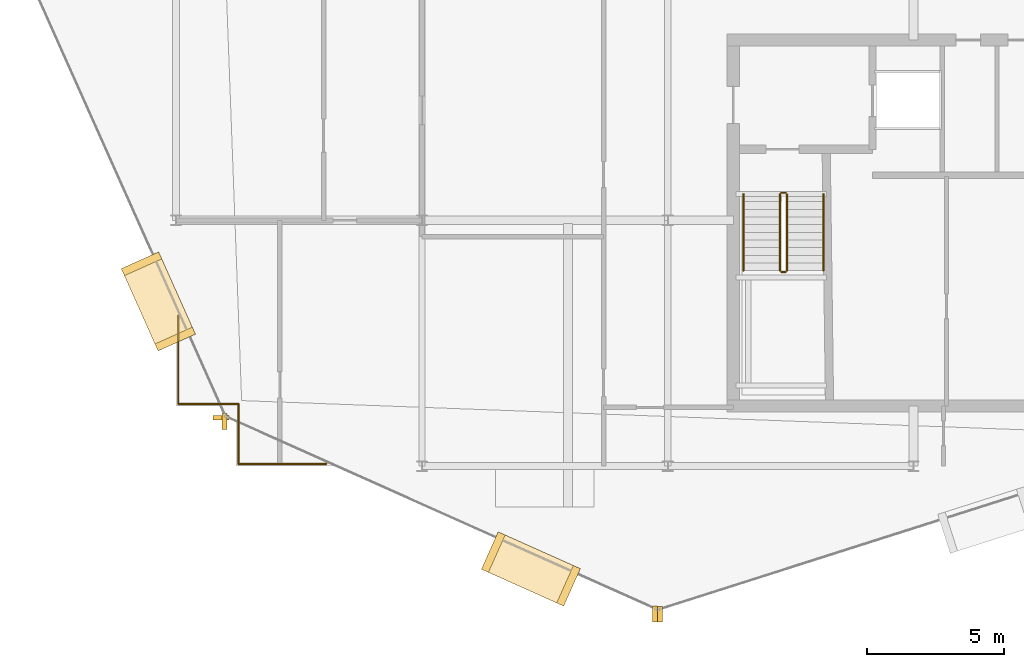
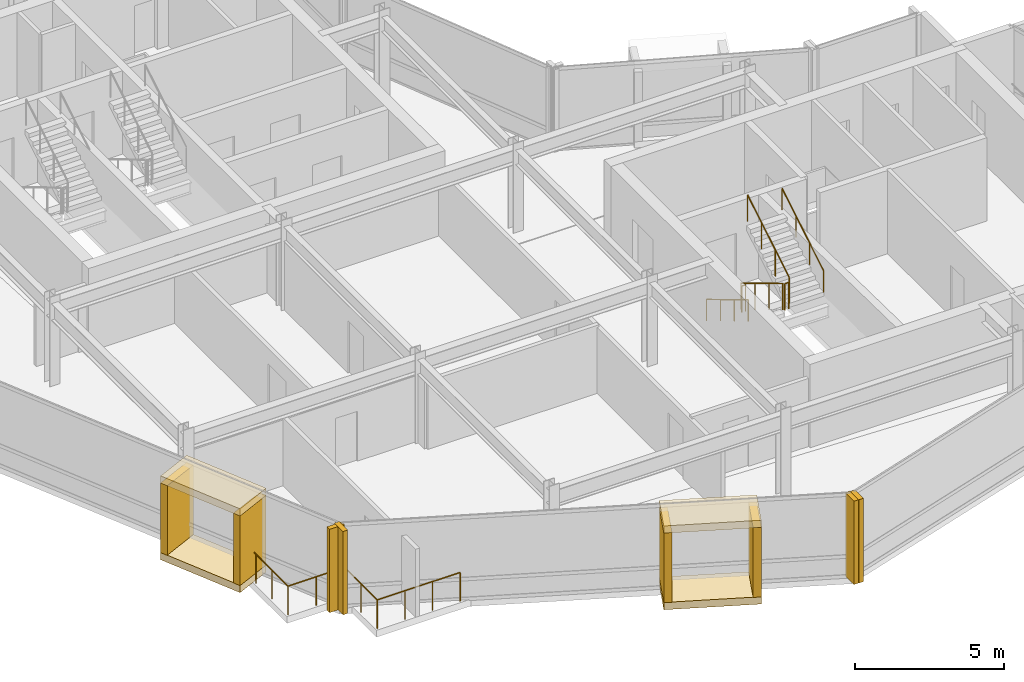
# One storey, part 16 of 19: 12 coverings, 10 railings.
"""IFC4 building model written with IfcOpenShell, lengths in metres."""

import ifcopenshell
import ifcopenshell.guid

model = None  # the IFC model being written
_history = None  # IfcOwnerHistory: only IFC2X3 demands one
_inside = {}  # id of a spatial element -> (the spatial element, [elements in it])
_under = {}  # id of a project, library or spatial element -> (it, [spatial elements below it])
_declared = {}  # id of a project -> (the project, [libraries it declares])
_typed = {}  # id of a type object -> (the type object, [elements of that type])
_made_of = {}  # id of a material, layer set ... -> (it, [elements and type objects made of it])


def new_model(schema):
    """Start an empty IFC model of exactly this schema.

    Asked for "IFC4X3", IfcOpenShell would pick the latest addendum, in which some entities
    have other attributes; the version numbers below select the first issue.
    IFC2X3 requires an IfcOwnerHistory on every rooted entity: one is made here for all.
    """
    global model, _history
    if schema == "IFC4X3":
        model = ifcopenshell.file(schema_version=(4, 3, 0, 0))
    else:
        model = ifcopenshell.file(schema=schema)
    _inside.clear()
    _under.clear()
    _declared.clear()
    _typed.clear()
    _made_of.clear()
    _history = None
    if model.schema == "IFC2X3":
        org = make("IfcOrganization", Name="unknown")
        user = make(
            "IfcPersonAndOrganization",
            ThePerson=make("IfcPerson", FamilyName="unknown"),
            TheOrganization=org,
        )
        app = make(
            "IfcApplication",
            ApplicationDeveloper=org,
            Version="unknown",
            ApplicationFullName="unknown",
            ApplicationIdentifier="unknown",
        )
        _history = make(
            "IfcOwnerHistory",
            OwningUser=user,
            OwningApplication=app,
            ChangeAction="ADDED",
            CreationDate=0,
        )
    return model


def make(cls, **values):
    """One entity of the class cls with the attributes given. An attribute that is None is left unset."""
    return model.create_entity(
        cls, **{name: value for name, value in values.items() if value is not None}
    )


def rooted(cls, **values):
    """An entity with a GlobalId (a new one), such as an element, a storey or a relation."""
    return make(cls, GlobalId=ifcopenshell.guid.new(), OwnerHistory=_history, **values)


def si_unit(unit_type, name, prefix=None):
    """IfcSIUnit, for example si_unit("LENGTHUNIT", "METRE", prefix="MILLI")."""
    return make("IfcSIUnit", UnitType=unit_type, Prefix=prefix, Name=name)


def assignment(units):
    """IfcUnitAssignment: the units of a project."""
    return None if units is None else make("IfcUnitAssignment", Units=units)


def point(xyz):
    """IfcCartesianPoint."""
    return None if xyz is None else make("IfcCartesianPoint", Coordinates=xyz)


def direction(xyz):
    """IfcDirection."""
    return None if xyz is None else make("IfcDirection", DirectionRatios=xyz)


def frame(location, z_axis=None, x_axis=None):
    """IfcAxis2Placement3D, a coordinate frame: its origin and axes. An axis left out is left unset."""
    return make(
        "IfcAxis2Placement3D",
        Location=point(location),
        Axis=direction(z_axis),
        RefDirection=direction(x_axis),
    )


def frame_2d(location, x_axis=None):
    """IfcAxis2Placement2D, a coordinate frame in the plane: its origin and x axis."""
    return make(
        "IfcAxis2Placement2D", Location=point(location), RefDirection=direction(x_axis)
    )


def origin():
    """The frame at (0, 0, 0) with its axes left unset."""
    return frame((0.0, 0.0, 0.0))


def origin_2d():
    """The frame at (0, 0) in the plane with its x axis left unset."""
    return frame_2d((0.0, 0.0))


def place(relative_to, where):
    """IfcLocalPlacement: puts the frame where relative to a parent placement (None: the world)."""
    return make(
        "IfcLocalPlacement", PlacementRelTo=relative_to, RelativePlacement=where
    )


def context(
    kind, dimensions, precision=None, world=None, true_north=None, identifier=None
):
    """IfcGeometricRepresentationContext, for example the 3D "Model" context."""
    return make(
        "IfcGeometricRepresentationContext",
        ContextIdentifier=identifier,
        ContextType=kind,
        CoordinateSpaceDimension=dimensions,
        Precision=precision,
        WorldCoordinateSystem=world,
        TrueNorth=true_north,
    )


def subcontext(parent, identifier, kind, view, scale=None):
    """IfcGeometricRepresentationSubContext, for example "Body" below "Model"."""
    return make(
        "IfcGeometricRepresentationSubContext",
        ContextIdentifier=identifier,
        ContextType=kind,
        ParentContext=parent,
        TargetScale=scale,
        TargetView=view,
    )


def project(units=None, contexts=None):
    """IfcProject with its units and contexts."""
    return rooted(
        "IfcProject",
        Name="project",
        RepresentationContexts=contexts,
        UnitsInContext=assignment(units),
    )


def spatial(cls, under=None, at=None, **own):
    """A site, building, storey or space (cls), placed at a placement, below another one or the project."""
    s = rooted(cls, ObjectPlacement=at, **own)
    if under is not None:
        _under.setdefault(under.id(), (under, []))[1].append(s)
    return s


def profile(cls, at=None, kind="AREA", **sizes):
    """A parametric profile (cls). Its sizes go by their IFC names, for example OverallWidth=200.0."""
    return make(cls, ProfileType=kind, Position=at, **sizes)


def rectangle(**sizes):
    """IfcRectangleProfileDef."""
    return profile("IfcRectangleProfileDef", **sizes)


def circle(**sizes):
    """IfcCircleProfileDef."""
    return profile("IfcCircleProfileDef", **sizes)


def extrude(swept, where, along, depth):
    """IfcExtrudedAreaSolid: the profile swept, set in the frame where, extruded along a direction by depth."""
    return make(
        "IfcExtrudedAreaSolid",
        SweptArea=swept,
        Position=where,
        ExtrudedDirection=direction(along),
        Depth=depth,
    )


def shape(context_of_items, identifier, shape_type, items):
    """IfcShapeRepresentation: the items that make up one representation, for example the "Body"."""
    return make(
        "IfcShapeRepresentation",
        ContextOfItems=context_of_items,
        RepresentationIdentifier=identifier,
        RepresentationType=shape_type,
        Items=items,
    )


def material(Name=None, Category=None):
    """IfcMaterial."""
    return make("IfcMaterial", Name=Name, Category=Category)


def layer(
    of_material, thickness, ventilated=None, Name=None, Category=None, Priority=None
):
    """IfcMaterialLayer: one layer of a wall or slab, of a material (None: an air gap)."""
    return make(
        "IfcMaterialLayer",
        Material=of_material,
        LayerThickness=thickness,
        IsVentilated=ventilated,
        Name=Name,
        Category=Category,
        Priority=Priority,
    )


def layer_set(layers, Name=None):
    """IfcMaterialLayerSet."""
    return make("IfcMaterialLayerSet", MaterialLayers=layers, LayerSetName=Name)


def made_of(thing, what):
    """Note that an element or type object is made of a material, layer set ...; save() writes the relation."""
    if what is not None:
        _made_of.setdefault(what.id(), (what, []))[1].append(thing)
    return thing


def type_object(cls, material=None, **own):
    """A type object (cls), such as IfcWallType, which elements share."""
    return made_of(rooted(cls, **own), material)


def element(
    cls,
    number,
    at=None,
    inside=None,
    cuts=None,
    type_object=None,
    material=None,
    context=None,
    identifier="Body",
    shape_type=None,
    held_by="IfcProductDefinitionShape",
    body=None,
    shapes=None,
    **own,
):
    """One element of the class cls, such as IfcWall. Its Tag is "e" and its number.

    at: its placement. inside: the storey or other place that contains it. cuts: it is an
    opening in that element (IfcRelVoidsElement). A single representation is given by context,
    identifier, shape_type and body (its items); several are given by shapes. held_by: the class
    of the entity that holds the representations. save() writes the other relations.
    """
    e = rooted(cls, Tag="e%d" % number, ObjectPlacement=at, **own)
    if body is not None:
        shapes = [shape(context, identifier, shape_type, body)]
    if shapes is not None:
        e.Representation = make(held_by, Representations=shapes)
    if inside is not None:
        _inside.setdefault(inside.id(), (inside, []))[1].append(e)
    if cuts is not None:
        rooted(
            "IfcRelVoidsElement", RelatingBuildingElement=cuts, RelatedOpeningElement=e
        )
    if type_object is not None:
        _typed.setdefault(type_object.id(), (type_object, []))[1].append(e)
    return made_of(e, material)


def aggregate(whole, parts):
    """IfcRelAggregates: a whole, such as a stair, and the parts it consists of."""
    return rooted("IfcRelAggregates", RelatingObject=whole, RelatedObjects=parts)


def save(model, path):
    """Write the relations noted so far, then the file.

    IfcRelAggregates (storeys below a building ...), IfcRelContainedInSpatialStructure (elements
    in a storey), IfcRelDefinesByType, IfcRelAssociatesMaterial and IfcRelDeclares: one each for
    every whole, place, type object, material and project.
    """
    for whole, parts in _under.values():
        aggregate(whole, parts)
    for where, things in _inside.values():
        rooted(
            "IfcRelContainedInSpatialStructure",
            RelatedElements=things,
            RelatingStructure=where,
        )
    for kind, things in _typed.values():
        rooted("IfcRelDefinesByType", RelatedObjects=things, RelatingType=kind)
    for what, things in _made_of.values():
        rooted("IfcRelAssociatesMaterial", RelatedObjects=things, RelatingMaterial=what)
    for by, libraries in _declared.values():
        rooted("IfcRelDeclares", RelatingContext=by, RelatedDefinitions=libraries)
    model.write(path)


model = new_model("IFC4")

# Units and contexts
model_context = context("Model", 3, precision=1e-05, world=origin(), true_north=direction((0.0, 1.0)))
body_context = subcontext(model_context, "Body", "Model", "MODEL_VIEW")
ifc_project = project(units=[si_unit("LENGTHUNIT", "METRE"), si_unit("AREAUNIT", "SQUARE_METRE"), si_unit("VOLUMEUNIT", "CUBIC_METRE"), si_unit("PLANEANGLEUNIT", "RADIAN"), si_unit("MASSUNIT", "GRAM", prefix="KILO")], contexts=[model_context])

# Site, building, storey
site_placement = place(None, origin())
site = spatial("IfcSite", under=ifc_project, at=site_placement, CompositionType="ELEMENT")
building_placement = place(site_placement, origin())
building = spatial("IfcBuilding", under=site, at=building_placement, Name="Solvaryn Broadcast Tower", CompositionType="ELEMENT")
storey_placement = place(building_placement, frame((0.0, 0.0, 277.800048828125)))
storey = spatial("IfcBuildingStorey", under=building, at=storey_placement, Name="L70", CompositionType="ELEMENT", Elevation=277.800048828125)

# Coverings
ifc_material_1 = material(Name="Glazed Architectural Terracotta Rainscreen Cladding", Category="masonry")
ifc_layer_1 = layer(ifc_material_1, 0.280029296875)
ifc_layer_set_1 = layer_set([ifc_layer_1], Name="CV-TC-CLAD")
covering_type_1 = type_object("IfcCoveringType", Name="CV-TC-CLAD", PredefinedType="CLADDING", material=ifc_layer_set_1)
for number, where, z_axis, x_axis, name in (
    (1, (8.35107421875, 15.030029296875, 3.1298828125), (0.0, 0.0, 1.0), (0.408489773781, -0.91276289622, 0.0), "L70 Projecting Stone Window Box Hood 2"),
    (2, (8.35107421875, 15.030029296875, -0.01025390625), (0.0, 0.0, 1.0), (0.408489773781, -0.91276289622, 0.0), "L70 Projecting Stone Window Box Sill 2"),
):
    element("IfcCovering", number, at=place(storey_placement, frame(where, z_axis=z_axis, x_axis=x_axis)), inside=storey, type_object=covering_type_1, Name=name, PredefinedType="CLADDING", context=body_context, shape_type="SweptSolid", body=[
        extrude(rectangle(XDim=3.300048828125, YDim=1.5, at=origin_2d()), origin(), (0.0, 0.0, 1.0), 0.300048828125),
    ])
for number, where, z_axis, x_axis, name in (
    (3, (7.734130859375, 16.408203125, 0.27978515625), (0.0, 0.0, 1.0), (0.408489773781, -0.91276289622, 0.0), "L70 Projecting Stone Window Box Cheek 2-1"),
    (4, (8.9677734375, 13.651611328125, 0.27978515625), (0.0, 0.0, 1.0), (0.408489773781, -0.91276289622, 0.0), "L70 Projecting Stone Window Box Cheek 2-2"),
):
    element("IfcCovering", number, at=place(storey_placement, frame(where, z_axis=z_axis, x_axis=x_axis)), inside=storey, type_object=covering_type_1, Name=name, PredefinedType="CLADDING", context=body_context, shape_type="SweptSolid", body=[
        extrude(rectangle(XDim=0.280029296875, YDim=1.5, at=origin_2d()), origin(), (0.0, 0.0, 1.0), 2.860107421875),
    ])
for number, where, z_axis, x_axis, name in (
    (5, (21.989990234375, 5.236083984375, 3.1298828125), (0.0, 0.0, 1.0), (0.91276289622, -0.408489773781, 0.0), "L70 Projecting Stone Window Box Hood 3"),
    (6, (21.989990234375, 5.236083984375, -0.01025390625), (0.0, 0.0, 1.0), (0.91276289622, -0.408489773781, 0.0), "L70 Projecting Stone Window Box Sill 3"),
):
    element("IfcCovering", number, at=place(storey_placement, frame(where, z_axis=z_axis, x_axis=x_axis)), inside=storey, type_object=covering_type_1, Name=name, PredefinedType="CLADDING", context=body_context, shape_type="SweptSolid", body=[
        extrude(rectangle(XDim=3.300048828125, YDim=1.5, at=origin_2d()), origin(), (0.0, 0.0, 1.0), 0.300048828125),
    ])
for number, where, z_axis, x_axis, name in (
    (7, (20.61181640625, 5.852783203125, 0.27978515625), (0.0, 0.0, 1.0), (0.91276289622, -0.408489773781, 0.0), "L70 Projecting Stone Window Box Cheek 3-1"),
    (8, (23.368408203125, 4.619140625, 0.27978515625), (0.0, 0.0, 1.0), (0.91276289622, -0.408489773781, 0.0), "L70 Projecting Stone Window Box Cheek 3-2"),
):
    element("IfcCovering", number, at=place(storey_placement, frame(where, z_axis=z_axis, x_axis=x_axis)), inside=storey, type_object=covering_type_1, Name=name, PredefinedType="CLADDING", context=body_context, shape_type="SweptSolid", body=[
        extrude(rectangle(XDim=0.280029296875, YDim=1.5, at=origin_2d()), origin(), (0.0, 0.0, 1.0), 2.860107421875),
    ])
ifc_material_2 = material(Name="Extruded Architectural Terracotta Fin", Category="masonry")
ifc_layer_2 = layer(ifc_material_2, 0.179931640625)
ifc_layer_set_2 = layer_set([ifc_layer_2], Name="CV-TC-FIN")
covering_type_2 = type_object("IfcCoveringType", Name="CV-TC-FIN", PredefinedType="USERDEFINED", material=ifc_layer_set_2)
covering_placement = place(storey_placement, frame((10.640380859375, 10.77099609375, 0.0), z_axis=(0.0, 0.0, 1.0), x_axis=(1.0, 0.0, 0.0)))
element("IfcCovering", 9, at=covering_placement, inside=storey, type_object=covering_type_2, Name="L70 Terracotta Vertical Fin FIN-L70-DR2-M01", ObjectType="FIN", PredefinedType="USERDEFINED", context=body_context, shape_type="SweptSolid", body=[
    extrude(rectangle(XDim=0.580078125, YDim=0.179931640625, at=origin_2d()), origin(), (0.0, 0.0, 1.0), 3.419921875),
])
for number, where, z_axis, x_axis, name in (
    (10, (10.77099609375, 10.640380859375, 0.0), (0.0, 0.0, 1.0), (1.0, 0.0, 0.0), "L70 Terracotta Vertical Fin FIN-L70-DR3-M00"),
    (11, (26.53515625, 3.5859375, 0.0), (0.0, 0.0, 1.0), (1.0, 0.0, 0.0), "L70 Terracotta Vertical Fin FIN-L70-DR3-M01"),
    (12, (26.71923828125, 3.575439453125, 0.0), (0.0, 0.0, 1.0), (1.0, 0.0, 0.0), "L70 Terracotta Vertical Fin FIN-L70-DR4-M00"),
):
    element("IfcCovering", number, at=place(storey_placement, frame(where, z_axis=z_axis, x_axis=x_axis)), inside=storey, type_object=covering_type_2, Name=name, ObjectType="FIN", PredefinedType="USERDEFINED", context=body_context, shape_type="SweptSolid", body=[
        extrude(rectangle(XDim=0.179931640625, YDim=0.580078125, at=origin_2d()), origin(), (0.0, 0.0, 1.0), 3.419921875),
    ])

# Railings
ifc_material_3 = material(Name="Stainless Steel and Laminated Glass Guard", Category="steel")
railing_type_1 = type_object("IfcRailingType", Name="RL-SKYG-1200", PredefinedType="BALUSTRADE", material=ifc_material_3)
railing_1_placement = place(storey_placement, frame((9.080078125, 14.5, 0.0)))
element("IfcRailing", 13, at=railing_1_placement, inside=storey, type_object=railing_type_1, Name="L70 Upper SW Corner Balustrade 1", PredefinedType="BALUSTRADE", context=body_context, shape_type="SweptSolid", body=[
    extrude(circle(Radius=0.02392578125, at=origin_2d()), frame((0.0, 0.0, 1.17578125), z_axis=(0.0, -1.0, 0.0), x_axis=(1.0, 0.0, 0.0)), (0.0, 0.0, 1.0), 3.219970703125),
    extrude(circle(Radius=0.02099609375, at=origin_2d()), origin(), (0.0, 0.0, 1.0), 1.15185546875),
    extrude(circle(Radius=0.02099609375, at=origin_2d()), frame((0.0, -1.0732421875, 0.0)), (0.0, 0.0, 1.0), 1.15185546875),
    extrude(circle(Radius=0.02099609375, at=origin_2d()), frame((0.0, -2.146728515625, 0.0)), (0.0, 0.0, 1.0), 1.15185546875),
    extrude(circle(Radius=0.02099609375, at=origin_2d()), frame((0.0, -3.219970703125, 0.0)), (0.0, 0.0, 1.0), 1.15185546875),
])
railing_2_placement = place(storey_placement, frame((9.080078125, 11.280029296875, 0.0)))
element("IfcRailing", 14, at=railing_2_placement, inside=storey, type_object=railing_type_1, Name="L70 Upper SW Corner Balustrade 2", PredefinedType="BALUSTRADE", context=body_context, shape_type="SweptSolid", body=[
    extrude(circle(Radius=0.02392578125, at=origin_2d()), frame((0.0, 0.0, 1.17578125), z_axis=(1.0, 0.0, 0.0), x_axis=(0.0, 1.0, 0.0)), (0.0, 0.0, 1.0), 2.199951171875),
    extrude(circle(Radius=0.02099609375, at=origin_2d()), origin(), (0.0, 0.0, 1.0), 1.15185546875),
    extrude(circle(Radius=0.02099609375, at=origin_2d()), frame((1.10009765625, 0.0, 0.0)), (0.0, 0.0, 1.0), 1.15185546875),
    extrude(circle(Radius=0.02099609375, at=origin_2d()), frame((2.199951171875, 0.0, 0.0)), (0.0, 0.0, 1.0), 1.15185546875),
])
railing_3_placement = place(storey_placement, frame((11.280029296875, 11.280029296875, 0.0)))
element("IfcRailing", 15, at=railing_3_placement, inside=storey, type_object=railing_type_1, Name="L70 Upper SW Corner Balustrade 3", PredefinedType="BALUSTRADE", context=body_context, shape_type="SweptSolid", body=[
    extrude(circle(Radius=0.02392578125, at=origin_2d()), frame((0.0, 0.0, 1.17578125), z_axis=(0.0, -1.0, 0.0), x_axis=(1.0, 0.0, 0.0)), (0.0, 0.0, 1.0), 2.199951171875),
    extrude(circle(Radius=0.02099609375, at=origin_2d()), origin(), (0.0, 0.0, 1.0), 1.15185546875),
    extrude(circle(Radius=0.02099609375, at=origin_2d()), frame((0.0, -1.10009765625, 0.0)), (0.0, 0.0, 1.0), 1.15185546875),
    extrude(circle(Radius=0.02099609375, at=origin_2d()), frame((0.0, -2.199951171875, 0.0)), (0.0, 0.0, 1.0), 1.15185546875),
])
railing_4_placement = place(storey_placement, frame((11.280029296875, 9.080078125, 0.0)))
element("IfcRailing", 16, at=railing_4_placement, inside=storey, type_object=railing_type_1, Name="L70 Upper SW Corner Balustrade 4", PredefinedType="BALUSTRADE", context=body_context, shape_type="SweptSolid", body=[
    extrude(circle(Radius=0.02392578125, at=origin_2d()), frame((0.0, 0.0, 1.17578125), z_axis=(1.0, 0.0, 0.0), x_axis=(0.0, 1.0, 0.0)), (0.0, 0.0, 1.0), 3.219970703125),
    extrude(circle(Radius=0.02099609375, at=origin_2d()), origin(), (0.0, 0.0, 1.0), 1.15185546875),
    extrude(circle(Radius=0.02099609375, at=origin_2d()), frame((1.0732421875, 0.0, 0.0)), (0.0, 0.0, 1.0), 1.15185546875),
    extrude(circle(Radius=0.02099609375, at=origin_2d()), frame((2.146728515625, 0.0, 0.0)), (0.0, 0.0, 1.0), 1.15185546875),
    extrude(circle(Radius=0.02099609375, at=origin_2d()), frame((3.219970703125, 0.0, 0.0)), (0.0, 0.0, 1.0), 1.15185546875),
])
ifc_material_4 = material(Name="Painted Steel Stair Well Guard", Category="steel")
railing_type_2 = type_object("IfcRailingType", Name="RL-STAIR-GUARD", PredefinedType="BALUSTRADE", material=ifc_material_4)
railing_5_placement = place(storey_placement, frame((31.110107421875, 18.9599609375, 0.168212890625)))
element("IfcRailing", 17, at=railing_5_placement, inside=storey, type_object=railing_type_2, Name="L70 ST3 stair guard 1", PredefinedType="BALUSTRADE", context=body_context, shape_type="SweptSolid", body=[
    extrude(circle(Radius=0.02392578125, at=origin_2d()), frame((0.0, 0.0, 1.076171875), z_axis=(0.0, -0.857275202839, 0.514858452973), x_axis=(1.0, 0.0, 0.0)), (0.0, 0.0, 1.0), 3.26611328125),
    extrude(circle(Radius=0.02099609375, at=origin_2d()), origin(), (0.0, 0.0, 1.0), 1.052001953125),
    extrude(circle(Radius=0.02099609375, at=origin_2d()), frame((0.0, -0.933349609375, 0.560546875)), (0.0, 0.0, 1.0), 1.052001953125),
    extrude(circle(Radius=0.02099609375, at=origin_2d()), frame((0.0, -1.86669921875, 1.12109375)), (0.0, 0.0, 1.0), 1.052001953125),
    extrude(circle(Radius=0.02099609375, at=origin_2d()), frame((0.0, -2.800048828125, 1.681640625)), (0.0, 0.0, 1.0), 1.052001953125),
])
railing_6_placement = place(storey_placement, frame((31.159912109375, 16.110107421875, 1.849853515625)))
element("IfcRailing", 18, at=railing_6_placement, inside=storey, type_object=railing_type_2, Name="L70 ST3 stair guard 2", PredefinedType="BALUSTRADE", context=body_context, shape_type="SweptSolid", body=[
    extrude(circle(Radius=0.02392578125, at=origin_2d()), frame((0.0, 0.0, 1.076171875), z_axis=(1.0, 0.0, 0.0), x_axis=(0.0, 1.0, 0.0)), (0.0, 0.0, 1.0), 0.150146484375),
    extrude(circle(Radius=0.02099609375, at=origin_2d()), origin(), (0.0, 0.0, 1.0), 1.052001953125),
    extrude(circle(Radius=0.02099609375, at=origin_2d()), frame((0.150146484375, 0.0, 0.0)), (0.0, 0.0, 1.0), 1.052001953125),
])
railing_7_placement = place(storey_placement, frame((31.360107421875, 16.159912109375, 2.01806640625)))
element("IfcRailing", 19, at=railing_7_placement, inside=storey, type_object=railing_type_2, Name="L70 ST3 stair guard 3", PredefinedType="BALUSTRADE", context=body_context, shape_type="SweptSolid", body=[
    extrude(circle(Radius=0.02392578125, at=origin_2d()), frame((0.0, 0.0, 1.076171875), z_axis=(0.0, 0.857242210791, 0.514913383045), x_axis=(-1.0, 0.0, 0.0)), (0.0, 0.0, 1.0), 3.266357421875),
    extrude(circle(Radius=0.02099609375, at=origin_2d()), origin(), (0.0, 0.0, 1.0), 1.052001953125),
    extrude(circle(Radius=0.02099609375, at=origin_2d()), frame((0.0, 0.933349609375, 0.560546875)), (0.0, 0.0, 1.0), 1.052001953125),
    extrude(circle(Radius=0.02099609375, at=origin_2d()), frame((0.0, 1.86669921875, 1.121337890625)), (0.0, 0.0, 1.0), 1.052001953125),
    extrude(circle(Radius=0.02099609375, at=origin_2d()), frame((0.0, 2.800048828125, 1.681884765625)), (0.0, 0.0, 1.0), 1.052001953125),
])
railing_8_placement = place(storey_placement, frame((31.159912109375, 19.010009765625, 0.0)))
element("IfcRailing", 20, at=railing_8_placement, inside=storey, type_object=railing_type_2, Name="L70 ST3 stair guard 4", PredefinedType="BALUSTRADE", context=body_context, shape_type="SweptSolid", body=[
    extrude(circle(Radius=0.02392578125, at=origin_2d()), frame((0.0, 0.0, 1.076171875), z_axis=(1.0, 0.0, 0.0), x_axis=(0.0, 1.0, 0.0)), (0.0, 0.0, 1.0), 0.150146484375),
    extrude(circle(Radius=0.02099609375, at=origin_2d()), origin(), (0.0, 0.0, 1.0), 1.052001953125),
    extrude(circle(Radius=0.02099609375, at=origin_2d()), frame((0.150146484375, 0.0, 0.0)), (0.0, 0.0, 1.0), 1.052001953125),
])
ifc_material_5 = material(Name="Brushed Stainless Steel Tubular Handrail", Category="steel")
railing_type_3 = type_object("IfcRailingType", Name="RL-STAIR-HANDRAIL", PredefinedType="HANDRAIL", material=ifc_material_5)
railing_9_placement = place(storey_placement, frame((29.77001953125, 18.9599609375, 0.168212890625)))
element("IfcRailing", 21, at=railing_9_placement, inside=storey, type_object=railing_type_3, Name="L70 ST3 stair handrail 1", PredefinedType="HANDRAIL", context=body_context, shape_type="SweptSolid", body=[
    extrude(circle(Radius=0.02392578125, at=origin_2d()), frame((0.0, 0.0, 0.8759765625), z_axis=(0.0, -0.857275202839, 0.514858452973), x_axis=(1.0, 0.0, 0.0)), (0.0, 0.0, 1.0), 3.26611328125),
    extrude(circle(Radius=0.02099609375, at=origin_2d()), origin(), (0.0, 0.0, 1.0), 0.851806640625),
    extrude(circle(Radius=0.02099609375, at=origin_2d()), frame((0.0, -0.933349609375, 0.560546875)), (0.0, 0.0, 1.0), 0.851806640625),
    extrude(circle(Radius=0.02099609375, at=origin_2d()), frame((0.0, -1.86669921875, 1.12109375)), (0.0, 0.0, 1.0), 0.851806640625),
    extrude(circle(Radius=0.02099609375, at=origin_2d()), frame((0.0, -2.800048828125, 1.681640625)), (0.0, 0.0, 1.0), 0.851806640625),
])
railing_10_placement = place(storey_placement, frame((32.699951171875, 16.159912109375, 2.01806640625)))
element("IfcRailing", 22, at=railing_10_placement, inside=storey, type_object=railing_type_3, Name="L70 ST3 stair handrail 2", PredefinedType="HANDRAIL", context=body_context, shape_type="SweptSolid", body=[
    extrude(circle(Radius=0.02392578125, at=origin_2d()), frame((0.0, 0.0, 0.8759765625), z_axis=(0.0, 0.857242210791, 0.514913383045), x_axis=(-1.0, 0.0, 0.0)), (0.0, 0.0, 1.0), 3.266357421875),
    extrude(circle(Radius=0.02099609375, at=origin_2d()), origin(), (0.0, 0.0, 1.0), 0.851806640625),
    extrude(circle(Radius=0.02099609375, at=origin_2d()), frame((0.0, 0.933349609375, 0.560546875)), (0.0, 0.0, 1.0), 0.851806640625),
    extrude(circle(Radius=0.02099609375, at=origin_2d()), frame((0.0, 1.86669921875, 1.121337890625)), (0.0, 0.0, 1.0), 0.851806640625),
    extrude(circle(Radius=0.02099609375, at=origin_2d()), frame((0.0, 2.800048828125, 1.681884765625)), (0.0, 0.0, 1.0), 0.851806640625),
])

save(model, "model.ifc")
